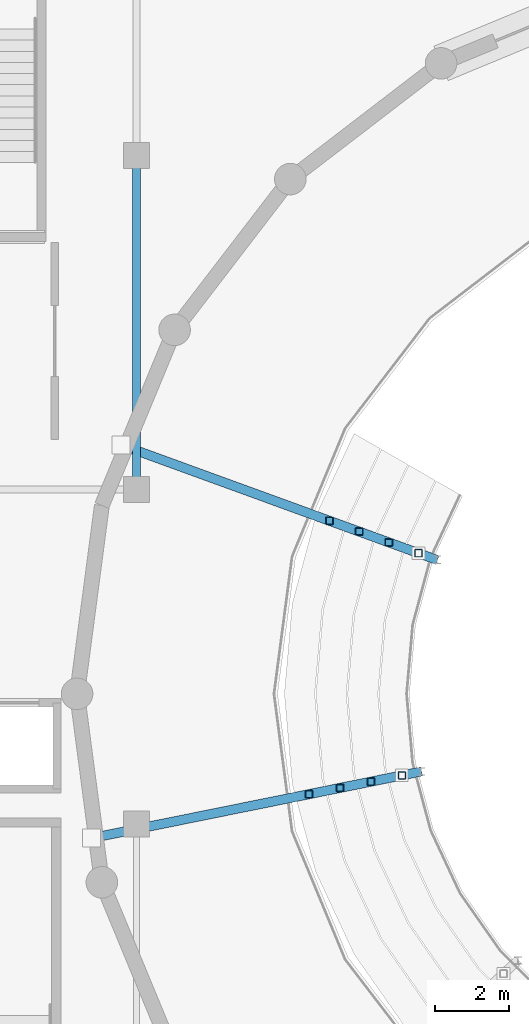
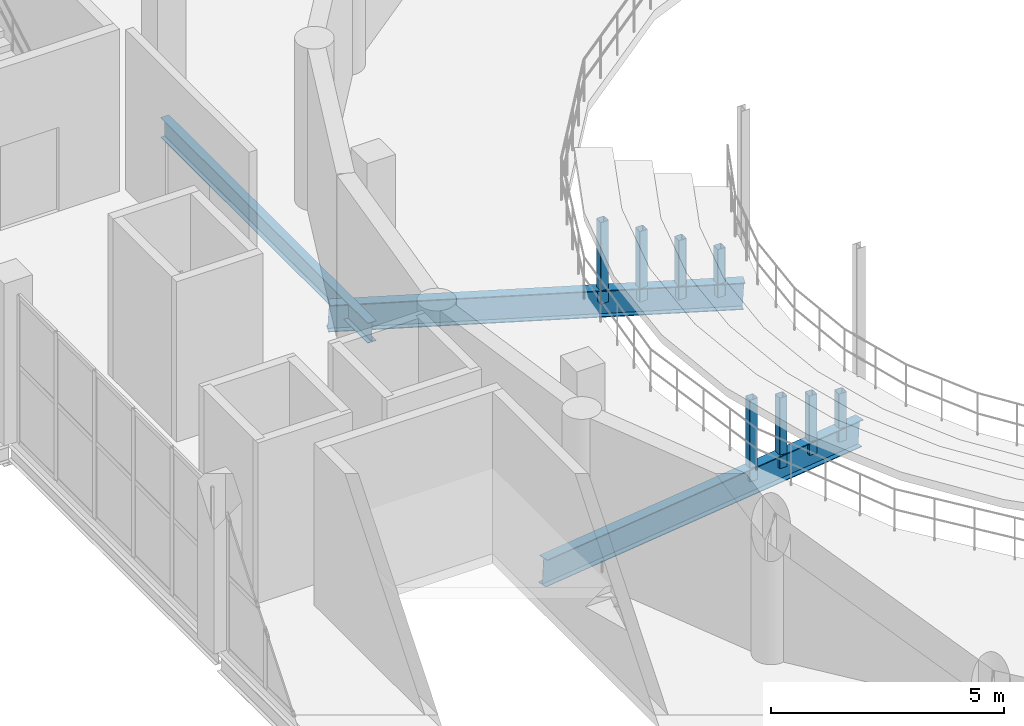
# One storey, part 29 of 73: 8 members, 3 beams.
"""IFC4 building model written with IfcOpenShell, lengths in metres."""

import ifcopenshell
import ifcopenshell.guid

model = None  # the IFC model being written
_history = None  # IfcOwnerHistory: only IFC2X3 demands one
_inside = {}  # id of a spatial element -> (the spatial element, [elements in it])
_under = {}  # id of a project, library or spatial element -> (it, [spatial elements below it])
_declared = {}  # id of a project -> (the project, [libraries it declares])
_typed = {}  # id of a type object -> (the type object, [elements of that type])
_made_of = {}  # id of a material, layer set ... -> (it, [elements and type objects made of it])


def new_model(schema):
    """Start an empty IFC model of exactly this schema.

    Asked for "IFC4X3", IfcOpenShell would pick the latest addendum, in which some entities
    have other attributes; the version numbers below select the first issue.
    IFC2X3 requires an IfcOwnerHistory on every rooted entity: one is made here for all.
    """
    global model, _history
    if schema == "IFC4X3":
        model = ifcopenshell.file(schema_version=(4, 3, 0, 0))
    else:
        model = ifcopenshell.file(schema=schema)
    _inside.clear()
    _under.clear()
    _declared.clear()
    _typed.clear()
    _made_of.clear()
    _history = None
    if model.schema == "IFC2X3":
        org = make("IfcOrganization", Name="unknown")
        user = make(
            "IfcPersonAndOrganization",
            ThePerson=make("IfcPerson", FamilyName="unknown"),
            TheOrganization=org,
        )
        app = make(
            "IfcApplication",
            ApplicationDeveloper=org,
            Version="unknown",
            ApplicationFullName="unknown",
            ApplicationIdentifier="unknown",
        )
        _history = make(
            "IfcOwnerHistory",
            OwningUser=user,
            OwningApplication=app,
            ChangeAction="ADDED",
            CreationDate=0,
        )
    return model


def make(cls, **values):
    """One entity of the class cls with the attributes given. An attribute that is None is left unset."""
    return model.create_entity(
        cls, **{name: value for name, value in values.items() if value is not None}
    )


def rooted(cls, **values):
    """An entity with a GlobalId (a new one), such as an element, a storey or a relation."""
    return make(cls, GlobalId=ifcopenshell.guid.new(), OwnerHistory=_history, **values)


def si_unit(unit_type, name, prefix=None):
    """IfcSIUnit, for example si_unit("LENGTHUNIT", "METRE", prefix="MILLI")."""
    return make("IfcSIUnit", UnitType=unit_type, Prefix=prefix, Name=name)


def assignment(units):
    """IfcUnitAssignment: the units of a project."""
    return None if units is None else make("IfcUnitAssignment", Units=units)


def point(xyz):
    """IfcCartesianPoint."""
    return None if xyz is None else make("IfcCartesianPoint", Coordinates=xyz)


def direction(xyz):
    """IfcDirection."""
    return None if xyz is None else make("IfcDirection", DirectionRatios=xyz)


def frame(location, z_axis=None, x_axis=None):
    """IfcAxis2Placement3D, a coordinate frame: its origin and axes. An axis left out is left unset."""
    return make(
        "IfcAxis2Placement3D",
        Location=point(location),
        Axis=direction(z_axis),
        RefDirection=direction(x_axis),
    )


def frame_2d(location, x_axis=None):
    """IfcAxis2Placement2D, a coordinate frame in the plane: its origin and x axis."""
    return make(
        "IfcAxis2Placement2D", Location=point(location), RefDirection=direction(x_axis)
    )


def origin():
    """The frame at (0, 0, 0) with its axes left unset."""
    return frame((0.0, 0.0, 0.0))


def origin_2d():
    """The frame at (0, 0) in the plane with its x axis left unset."""
    return frame_2d((0.0, 0.0))


def place(relative_to, where):
    """IfcLocalPlacement: puts the frame where relative to a parent placement (None: the world)."""
    return make(
        "IfcLocalPlacement", PlacementRelTo=relative_to, RelativePlacement=where
    )


def context(
    kind, dimensions, precision=None, world=None, true_north=None, identifier=None
):
    """IfcGeometricRepresentationContext, for example the 3D "Model" context."""
    return make(
        "IfcGeometricRepresentationContext",
        ContextIdentifier=identifier,
        ContextType=kind,
        CoordinateSpaceDimension=dimensions,
        Precision=precision,
        WorldCoordinateSystem=world,
        TrueNorth=true_north,
    )


def subcontext(parent, identifier, kind, view, scale=None):
    """IfcGeometricRepresentationSubContext, for example "Body" below "Model"."""
    return make(
        "IfcGeometricRepresentationSubContext",
        ContextIdentifier=identifier,
        ContextType=kind,
        ParentContext=parent,
        TargetScale=scale,
        TargetView=view,
    )


def project(units=None, contexts=None):
    """IfcProject with its units and contexts."""
    return rooted(
        "IfcProject",
        Name="project",
        RepresentationContexts=contexts,
        UnitsInContext=assignment(units),
    )


def spatial(cls, under=None, at=None, **own):
    """A site, building, storey or space (cls), placed at a placement, below another one or the project."""
    s = rooted(cls, ObjectPlacement=at, **own)
    if under is not None:
        _under.setdefault(under.id(), (under, []))[1].append(s)
    return s


def profile(cls, at=None, kind="AREA", **sizes):
    """A parametric profile (cls). Its sizes go by their IFC names, for example OverallWidth=200.0."""
    return make(cls, ProfileType=kind, Position=at, **sizes)


def hollow_rectangle(**sizes):
    """IfcRectangleHollowProfileDef."""
    return profile("IfcRectangleHollowProfileDef", **sizes)


def i_section(**sizes):
    """IfcIShapeProfileDef."""
    return profile("IfcIShapeProfileDef", **sizes)


def extrude(swept, where, along, depth):
    """IfcExtrudedAreaSolid: the profile swept, set in the frame where, extruded along a direction by depth."""
    return make(
        "IfcExtrudedAreaSolid",
        SweptArea=swept,
        Position=where,
        ExtrudedDirection=direction(along),
        Depth=depth,
    )


def shape(context_of_items, identifier, shape_type, items):
    """IfcShapeRepresentation: the items that make up one representation, for example the "Body"."""
    return make(
        "IfcShapeRepresentation",
        ContextOfItems=context_of_items,
        RepresentationIdentifier=identifier,
        RepresentationType=shape_type,
        Items=items,
    )


def material(Name=None, Category=None):
    """IfcMaterial."""
    return make("IfcMaterial", Name=Name, Category=Category)


def material_profile(
    of_material, cross_section, Name=None, Category=None, Priority=None
):
    """IfcMaterialProfile: a cross section and its material."""
    return make(
        "IfcMaterialProfile",
        Name=Name,
        Material=of_material,
        Profile=cross_section,
        Priority=Priority,
        Category=Category,
    )


def profile_set(profiles, Name=None, composite=None):
    """IfcMaterialProfileSet."""
    return make(
        "IfcMaterialProfileSet",
        Name=Name,
        MaterialProfiles=profiles,
        CompositeProfile=composite,
    )


def made_of(thing, what):
    """Note that an element or type object is made of a material, layer set ...; save() writes the relation."""
    if what is not None:
        _made_of.setdefault(what.id(), (what, []))[1].append(thing)
    return thing


def type_object(cls, material=None, **own):
    """A type object (cls), such as IfcWallType, which elements share."""
    return made_of(rooted(cls, **own), material)


def element(
    cls,
    number,
    at=None,
    inside=None,
    cuts=None,
    type_object=None,
    material=None,
    context=None,
    identifier="Body",
    shape_type=None,
    held_by="IfcProductDefinitionShape",
    body=None,
    shapes=None,
    **own,
):
    """One element of the class cls, such as IfcWall. Its Tag is "e" and its number.

    at: its placement. inside: the storey or other place that contains it. cuts: it is an
    opening in that element (IfcRelVoidsElement). A single representation is given by context,
    identifier, shape_type and body (its items); several are given by shapes. held_by: the class
    of the entity that holds the representations. save() writes the other relations.
    """
    e = rooted(cls, Tag="e%d" % number, ObjectPlacement=at, **own)
    if body is not None:
        shapes = [shape(context, identifier, shape_type, body)]
    if shapes is not None:
        e.Representation = make(held_by, Representations=shapes)
    if inside is not None:
        _inside.setdefault(inside.id(), (inside, []))[1].append(e)
    if cuts is not None:
        rooted(
            "IfcRelVoidsElement", RelatingBuildingElement=cuts, RelatedOpeningElement=e
        )
    if type_object is not None:
        _typed.setdefault(type_object.id(), (type_object, []))[1].append(e)
    return made_of(e, material)


def aggregate(whole, parts):
    """IfcRelAggregates: a whole, such as a stair, and the parts it consists of."""
    return rooted("IfcRelAggregates", RelatingObject=whole, RelatedObjects=parts)


def save(model, path):
    """Write the relations noted so far, then the file.

    IfcRelAggregates (storeys below a building ...), IfcRelContainedInSpatialStructure (elements
    in a storey), IfcRelDefinesByType, IfcRelAssociatesMaterial and IfcRelDeclares: one each for
    every whole, place, type object, material and project.
    """
    for whole, parts in _under.values():
        aggregate(whole, parts)
    for where, things in _inside.values():
        rooted(
            "IfcRelContainedInSpatialStructure",
            RelatedElements=things,
            RelatingStructure=where,
        )
    for kind, things in _typed.values():
        rooted("IfcRelDefinesByType", RelatedObjects=things, RelatingType=kind)
    for what, things in _made_of.values():
        rooted("IfcRelAssociatesMaterial", RelatedObjects=things, RelatingMaterial=what)
    for by, libraries in _declared.values():
        rooted("IfcRelDeclares", RelatingContext=by, RelatedDefinitions=libraries)
    model.write(path)


model = new_model("IFC4")

# Units and contexts
model_context = context("Model", 3, precision=1e-05, world=origin(), true_north=direction((0.0, 1.0)))
body_context = subcontext(model_context, "Body", "Model", "MODEL_VIEW")
ifc_project = project(units=[si_unit("LENGTHUNIT", "METRE"), si_unit("AREAUNIT", "SQUARE_METRE"), si_unit("VOLUMEUNIT", "CUBIC_METRE"), si_unit("PLANEANGLEUNIT", "RADIAN"), si_unit("MASSUNIT", "GRAM", prefix="KILO")], contexts=[model_context])

# Site, building, storey
site_placement = place(None, origin())
site = spatial("IfcSite", under=ifc_project, at=site_placement, CompositionType="ELEMENT")
building_placement = place(site_placement, origin())
building = spatial("IfcBuilding", under=site, at=building_placement, Name="Marnock Terrace Opera House", CompositionType="ELEMENT")
storey_placement = place(building_placement, frame((0.0, 0.0, 14.699951171875)))
storey = spatial("IfcBuildingStorey", under=building, at=storey_placement, Name="L03", CompositionType="ELEMENT", Elevation=14.699951171875)

# Beams
ifc_material_1 = material(Name="Steel Grade 350 (AS/NZS 3679.1)", Category="steel")
ifc_material_profile_1 = material_profile(ifc_material_1, i_section(OverallWidth=0.208984375, OverallDepth=0.528076171875, WebThickness=0.009521484375, FlangeThickness=0.01318359375, FilletRadius=0.013916015625, at=origin_2d()))
ifc_profile_set_1 = profile_set([ifc_material_profile_1], Name="Steel Grade 350 (AS/NZS 3679.1)")
beam_type_1 = type_object("IfcBeamType", Name="BM-GIRD-530B", PredefinedType="BEAM", material=ifc_profile_set_1)
beam_1_placement = place(storey_placement, frame((64.0, 66.050048828125, -0.52392578125), z_axis=(0.0, 1.0, 0.0), x_axis=(-1.0, 0.0, 0.0)))
element("IfcBeam", 1, at=beam_1_placement, inside=storey, type_object=beam_type_1, Name="L03 girder (X=64.0, 66.0..75.0)", PredefinedType="BEAM", context=body_context, shape_type="SweptSolid", body=[
    extrude(i_section(OverallWidth=0.208984375, OverallDepth=0.528076171875, WebThickness=0.009521484375, FlangeThickness=0.01318359375, FilletRadius=0.013916015625, at=origin_2d()), origin(), (0.0, 0.0, 1.0), 8.89990234375),
])
ifc_material_2 = material(Name="Steel Grade 350 Welded (AS/NZS 3679.2)", Category="steel")
ifc_material_profile_2 = material_profile(ifc_material_2, i_section(OverallWidth=0.25, OverallDepth=0.699951171875, WebThickness=0.011962890625, FlangeThickness=0.02001953125, at=origin_2d()))
ifc_profile_set_2 = profile_set([ifc_material_profile_2], Name="Steel Grade 350 Welded (AS/NZS 3679.2)")
beam_type_2 = type_object("IfcBeamType", Name="BM-RAKER-700", PredefinedType="BEAM", material=ifc_profile_set_2)
beam_2_placement = place(storey_placement, frame((72.086181640625, 64.1083984375, -1.159912109375), z_axis=(-0.938205492565, 0.341474154817, 0.056265933855), x_axis=(-0.342015970523, -0.939694139551, 0.0)))
element("IfcBeam", 2, at=beam_2_placement, inside=storey, type_object=beam_type_2, Name="L03 Auditorium raker girder 1", PredefinedType="BEAM", context=body_context, shape_type="SweptSolid", body=[
    extrude(i_section(OverallWidth=0.25, OverallDepth=0.699951171875, WebThickness=0.011962890625, FlangeThickness=0.02001953125, at=origin_2d()), origin(), (0.0, 0.0, 1.0), 9.064208984375),
])
beam_3_placement = place(storey_placement, frame((71.6591796875, 58.40966796875, -1.159912109375), z_axis=(-0.978614945489, -0.197856150976, 0.056264837924), x_axis=(0.198170076298, -0.980167649364, 0.0)))
element("IfcBeam", 3, at=beam_3_placement, inside=storey, type_object=beam_type_2, Name="L03 Auditorium raker girder 2", PredefinedType="BEAM", context=body_context, shape_type="SweptSolid", body=[
    extrude(i_section(OverallWidth=0.25, OverallDepth=0.699951171875, WebThickness=0.011962890625, FlangeThickness=0.02001953125, at=origin_2d()), origin(), (0.0, 0.0, 1.0), 9.064453125),
])

# Members
ifc_material_3 = material(Name="Cold-formed Steel Grade C350L0 (AS/NZS 1163)", Category="steel")
ifc_material_profile_3 = material_profile(ifc_material_3, hollow_rectangle(XDim=0.199951171875, YDim=0.199951171875, WallThickness=0.009033203125, InnerFilletRadius=0.009033203125, OuterFilletRadius=0.01806640625, at=origin_2d()))
ifc_profile_set_3 = profile_set([ifc_material_profile_3], Name="Cold-formed Steel Grade C350L0 (AS/NZS 1163)")
member_type = type_object("IfcMemberType", Name="MEM-TRUSS-WEB2", PredefinedType="BRACE", material=ifc_profile_set_3)
member_1_placement = place(storey_placement, frame((71.593017578125, 64.287841796875, -1.13037109375), z_axis=(0.0, 0.0, 1.0), x_axis=(1.0, 0.0, 0.0)))
element("IfcMember", 4, at=member_1_placement, inside=storey, type_object=member_type, Name="L03 Auditorium tier support post 1.1", PredefinedType="BRACE", context=body_context, shape_type="SweptSolid", body=[
    extrude(hollow_rectangle(XDim=0.199951171875, YDim=0.199951171875, WallThickness=0.009033203125, InnerFilletRadius=0.009033203125, OuterFilletRadius=0.01806640625, at=origin_2d()), origin(), (0.0, 0.0, 1.0), 1.260498046875),
])
member_2_placement = place(storey_placement, frame((70.794189453125, 64.57861328125, -1.08251953125), z_axis=(0.0, 0.0, 1.0), x_axis=(1.0, 0.0, 0.0)))
element("IfcMember", 5, at=member_2_placement, inside=storey, type_object=member_type, Name="L03 Auditorium tier support post 1.2", PredefinedType="BRACE", context=body_context, shape_type="SweptSolid", body=[
    extrude(hollow_rectangle(XDim=0.199951171875, YDim=0.199951171875, WallThickness=0.009033203125, InnerFilletRadius=0.009033203125, OuterFilletRadius=0.01806640625, at=origin_2d()), origin(), (0.0, 0.0, 1.0), 1.552490234375),
])
member_3_placement = place(storey_placement, frame((69.995361328125, 64.869384765625, -1.03466796875), z_axis=(0.0, 0.0, 1.0), x_axis=(1.0, 0.0, 0.0)))
element("IfcMember", 6, at=member_3_placement, inside=storey, type_object=member_type, Name="L03 Auditorium tier support post 1.3", PredefinedType="BRACE", context=body_context, shape_type="SweptSolid", body=[
    extrude(hollow_rectangle(XDim=0.199951171875, YDim=0.199951171875, WallThickness=0.009033203125, InnerFilletRadius=0.009033203125, OuterFilletRadius=0.01806640625, at=origin_2d()), origin(), (0.0, 0.0, 1.0), 1.8447265625),
])
member_4_placement = place(storey_placement, frame((69.19677734375, 65.159912109375, -0.986572265625), z_axis=(0.0, 0.0, 1.0), x_axis=(1.0, 0.0, 0.0)))
element("IfcMember", 7, at=member_4_placement, inside=storey, type_object=member_type, Name="L03 Auditorium tier support post 1.4", PredefinedType="BRACE", context=body_context, shape_type="SweptSolid", body=[
    extrude(hollow_rectangle(XDim=0.199951171875, YDim=0.199951171875, WallThickness=0.009033203125, InnerFilletRadius=0.009033203125, OuterFilletRadius=0.01806640625, at=origin_2d()), origin(), (0.0, 0.0, 1.0), 2.13671875),
])
member_5_placement = place(storey_placement, frame((71.14453125, 58.305419921875, -1.13037109375), z_axis=(0.0, 0.0, 1.0), x_axis=(1.0, 0.0, 0.0)))
element("IfcMember", 8, at=member_5_placement, inside=storey, type_object=member_type, Name="L03 Auditorium tier support post 2.1", PredefinedType="BRACE", context=body_context, shape_type="SweptSolid", body=[
    extrude(hollow_rectangle(XDim=0.199951171875, YDim=0.199951171875, WallThickness=0.009033203125, InnerFilletRadius=0.009033203125, OuterFilletRadius=0.01806640625, at=origin_2d()), origin(), (0.0, 0.0, 1.0), 1.260498046875),
])
member_6_placement = place(storey_placement, frame((70.311279296875, 58.13720703125, -1.08251953125), z_axis=(0.0, 0.0, 1.0), x_axis=(1.0, 0.0, 0.0)))
element("IfcMember", 9, at=member_6_placement, inside=storey, type_object=member_type, Name="L03 Auditorium tier support post 2.2", PredefinedType="BRACE", context=body_context, shape_type="SweptSolid", body=[
    extrude(hollow_rectangle(XDim=0.199951171875, YDim=0.199951171875, WallThickness=0.009033203125, InnerFilletRadius=0.009033203125, OuterFilletRadius=0.01806640625, at=origin_2d()), origin(), (0.0, 0.0, 1.0), 1.552490234375),
])
member_7_placement = place(storey_placement, frame((69.478271484375, 57.96875, -1.03466796875), z_axis=(0.0, 0.0, 1.0), x_axis=(1.0, 0.0, 0.0)))
element("IfcMember", 10, at=member_7_placement, inside=storey, type_object=member_type, Name="L03 Auditorium tier support post 2.3", PredefinedType="BRACE", context=body_context, shape_type="SweptSolid", body=[
    extrude(hollow_rectangle(XDim=0.199951171875, YDim=0.199951171875, WallThickness=0.009033203125, InnerFilletRadius=0.009033203125, OuterFilletRadius=0.01806640625, at=origin_2d()), origin(), (0.0, 0.0, 1.0), 1.8447265625),
])
member_8_placement = place(storey_placement, frame((68.64501953125, 57.80029296875, -0.986572265625), z_axis=(0.0, 0.0, 1.0), x_axis=(1.0, 0.0, 0.0)))
element("IfcMember", 11, at=member_8_placement, inside=storey, type_object=member_type, Name="L03 Auditorium tier support post 2.4", PredefinedType="BRACE", context=body_context, shape_type="SweptSolid", body=[
    extrude(hollow_rectangle(XDim=0.199951171875, YDim=0.199951171875, WallThickness=0.009033203125, InnerFilletRadius=0.009033203125, OuterFilletRadius=0.01806640625, at=origin_2d()), origin(), (0.0, 0.0, 1.0), 2.13671875),
])

save(model, "model.ifc")
